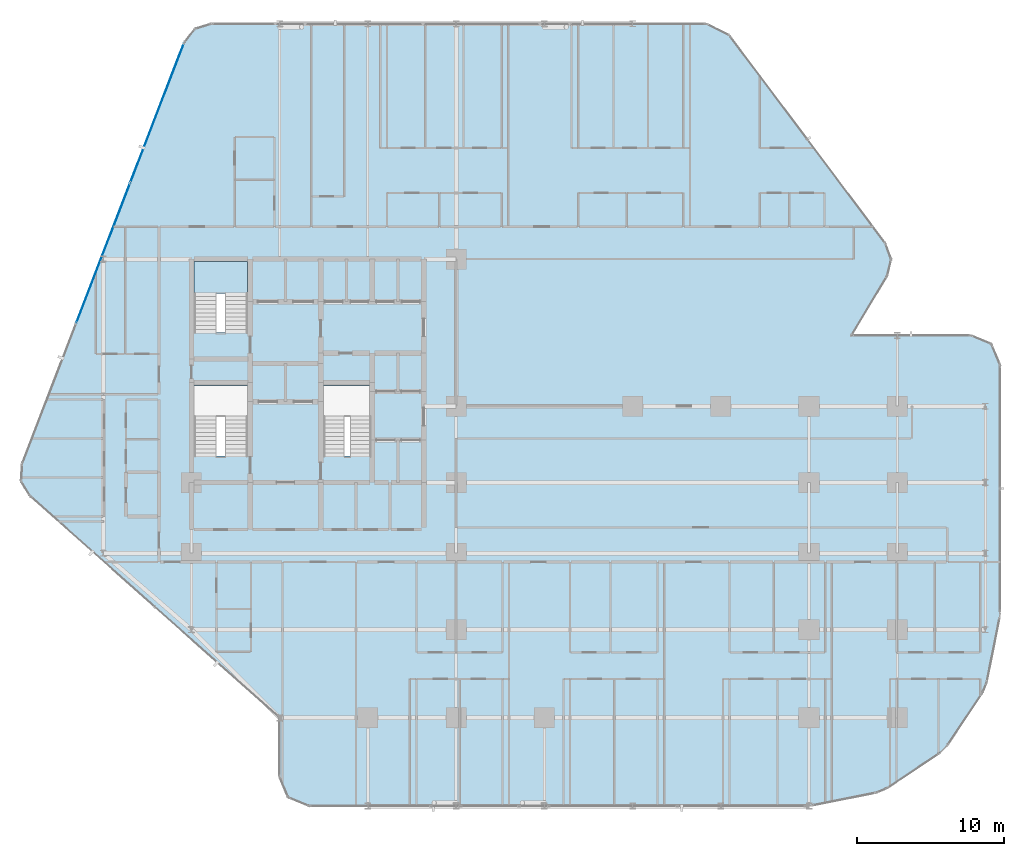
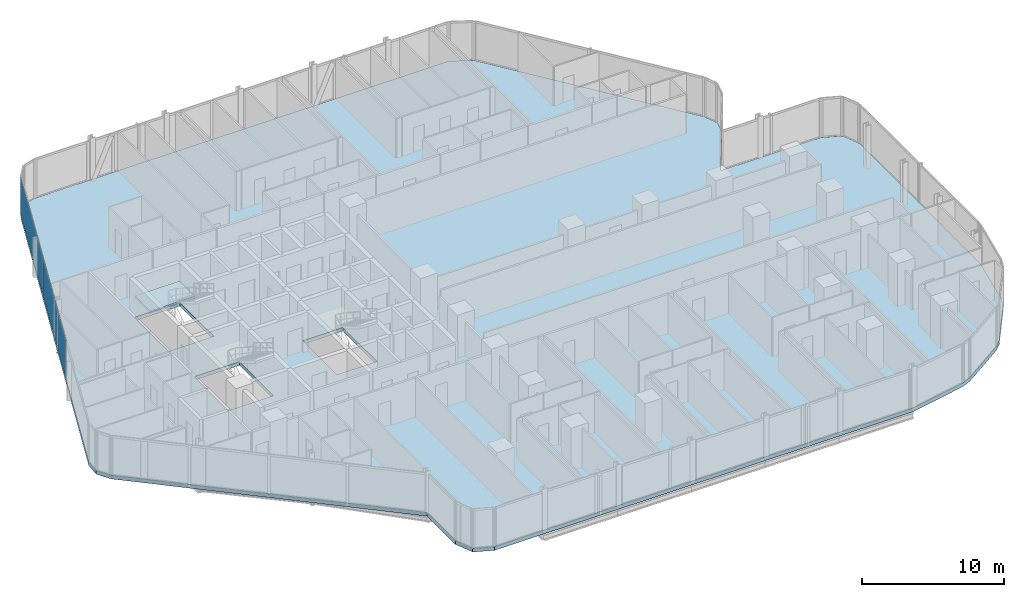
# One storey, part 23 of 34: 2 plates, 2 slabs, 2 elements without a shape of their own.
"""IFC4 building model written with IfcOpenShell, lengths in metres."""

import ifcopenshell
import ifcopenshell.guid

model = None  # the IFC model being written
_history = None  # IfcOwnerHistory: only IFC2X3 demands one
_inside = {}  # id of a spatial element -> (the spatial element, [elements in it])
_under = {}  # id of a project, library or spatial element -> (it, [spatial elements below it])
_declared = {}  # id of a project -> (the project, [libraries it declares])
_typed = {}  # id of a type object -> (the type object, [elements of that type])
_made_of = {}  # id of a material, layer set ... -> (it, [elements and type objects made of it])


def new_model(schema):
    """Start an empty IFC model of exactly this schema.

    Asked for "IFC4X3", IfcOpenShell would pick the latest addendum, in which some entities
    have other attributes; the version numbers below select the first issue.
    IFC2X3 requires an IfcOwnerHistory on every rooted entity: one is made here for all.
    """
    global model, _history
    if schema == "IFC4X3":
        model = ifcopenshell.file(schema_version=(4, 3, 0, 0))
    else:
        model = ifcopenshell.file(schema=schema)
    _inside.clear()
    _under.clear()
    _declared.clear()
    _typed.clear()
    _made_of.clear()
    _history = None
    if model.schema == "IFC2X3":
        org = make("IfcOrganization", Name="unknown")
        user = make(
            "IfcPersonAndOrganization",
            ThePerson=make("IfcPerson", FamilyName="unknown"),
            TheOrganization=org,
        )
        app = make(
            "IfcApplication",
            ApplicationDeveloper=org,
            Version="unknown",
            ApplicationFullName="unknown",
            ApplicationIdentifier="unknown",
        )
        _history = make(
            "IfcOwnerHistory",
            OwningUser=user,
            OwningApplication=app,
            ChangeAction="ADDED",
            CreationDate=0,
        )
    return model


def make(cls, **values):
    """One entity of the class cls with the attributes given. An attribute that is None is left unset."""
    return model.create_entity(
        cls, **{name: value for name, value in values.items() if value is not None}
    )


def rooted(cls, **values):
    """An entity with a GlobalId (a new one), such as an element, a storey or a relation."""
    return make(cls, GlobalId=ifcopenshell.guid.new(), OwnerHistory=_history, **values)


def si_unit(unit_type, name, prefix=None):
    """IfcSIUnit, for example si_unit("LENGTHUNIT", "METRE", prefix="MILLI")."""
    return make("IfcSIUnit", UnitType=unit_type, Prefix=prefix, Name=name)


def assignment(units):
    """IfcUnitAssignment: the units of a project."""
    return None if units is None else make("IfcUnitAssignment", Units=units)


def point(xyz):
    """IfcCartesianPoint."""
    return None if xyz is None else make("IfcCartesianPoint", Coordinates=xyz)


def direction(xyz):
    """IfcDirection."""
    return None if xyz is None else make("IfcDirection", DirectionRatios=xyz)


def frame(location, z_axis=None, x_axis=None):
    """IfcAxis2Placement3D, a coordinate frame: its origin and axes. An axis left out is left unset."""
    return make(
        "IfcAxis2Placement3D",
        Location=point(location),
        Axis=direction(z_axis),
        RefDirection=direction(x_axis),
    )


def frame_2d(location, x_axis=None):
    """IfcAxis2Placement2D, a coordinate frame in the plane: its origin and x axis."""
    return make(
        "IfcAxis2Placement2D", Location=point(location), RefDirection=direction(x_axis)
    )


def origin():
    """The frame at (0, 0, 0) with its axes left unset."""
    return frame((0.0, 0.0, 0.0))


def origin_2d():
    """The frame at (0, 0) in the plane with its x axis left unset."""
    return frame_2d((0.0, 0.0))


def place(relative_to, where):
    """IfcLocalPlacement: puts the frame where relative to a parent placement (None: the world)."""
    return make(
        "IfcLocalPlacement", PlacementRelTo=relative_to, RelativePlacement=where
    )


def context(
    kind, dimensions, precision=None, world=None, true_north=None, identifier=None
):
    """IfcGeometricRepresentationContext, for example the 3D "Model" context."""
    return make(
        "IfcGeometricRepresentationContext",
        ContextIdentifier=identifier,
        ContextType=kind,
        CoordinateSpaceDimension=dimensions,
        Precision=precision,
        WorldCoordinateSystem=world,
        TrueNorth=true_north,
    )


def subcontext(parent, identifier, kind, view, scale=None):
    """IfcGeometricRepresentationSubContext, for example "Body" below "Model"."""
    return make(
        "IfcGeometricRepresentationSubContext",
        ContextIdentifier=identifier,
        ContextType=kind,
        ParentContext=parent,
        TargetScale=scale,
        TargetView=view,
    )


def project(units=None, contexts=None):
    """IfcProject with its units and contexts."""
    return rooted(
        "IfcProject",
        Name="project",
        RepresentationContexts=contexts,
        UnitsInContext=assignment(units),
    )


def spatial(cls, under=None, at=None, **own):
    """A site, building, storey or space (cls), placed at a placement, below another one or the project."""
    s = rooted(cls, ObjectPlacement=at, **own)
    if under is not None:
        _under.setdefault(under.id(), (under, []))[1].append(s)
    return s


def polyline(points):
    """IfcPolyline through the points."""
    return make("IfcPolyline", Points=[point(p) for p in points])


def profile(cls, at=None, kind="AREA", **sizes):
    """A parametric profile (cls). Its sizes go by their IFC names, for example OverallWidth=200.0."""
    return make(cls, ProfileType=kind, Position=at, **sizes)


def rectangle(**sizes):
    """IfcRectangleProfileDef."""
    return profile("IfcRectangleProfileDef", **sizes)


def outline(outer, holes=None, kind="AREA"):
    """IfcArbitraryClosedProfileDef: a profile drawn as a closed curve; with holes, ...WithVoids."""
    if holes is None:
        return make("IfcArbitraryClosedProfileDef", ProfileType=kind, OuterCurve=outer)
    return make(
        "IfcArbitraryProfileDefWithVoids",
        ProfileType=kind,
        OuterCurve=outer,
        InnerCurves=holes,
    )


def extrude(swept, where, along, depth):
    """IfcExtrudedAreaSolid: the profile swept, set in the frame where, extruded along a direction by depth."""
    return make(
        "IfcExtrudedAreaSolid",
        SweptArea=swept,
        Position=where,
        ExtrudedDirection=direction(along),
        Depth=depth,
    )


def shape(context_of_items, identifier, shape_type, items):
    """IfcShapeRepresentation: the items that make up one representation, for example the "Body"."""
    return make(
        "IfcShapeRepresentation",
        ContextOfItems=context_of_items,
        RepresentationIdentifier=identifier,
        RepresentationType=shape_type,
        Items=items,
    )


def material(Name=None, Category=None):
    """IfcMaterial."""
    return make("IfcMaterial", Name=Name, Category=Category)


def layer(
    of_material, thickness, ventilated=None, Name=None, Category=None, Priority=None
):
    """IfcMaterialLayer: one layer of a wall or slab, of a material (None: an air gap)."""
    return make(
        "IfcMaterialLayer",
        Material=of_material,
        LayerThickness=thickness,
        IsVentilated=ventilated,
        Name=Name,
        Category=Category,
        Priority=Priority,
    )


def layer_set(layers, Name=None):
    """IfcMaterialLayerSet."""
    return make("IfcMaterialLayerSet", MaterialLayers=layers, LayerSetName=Name)


def made_of(thing, what):
    """Note that an element or type object is made of a material, layer set ...; save() writes the relation."""
    if what is not None:
        _made_of.setdefault(what.id(), (what, []))[1].append(thing)
    return thing


def type_object(cls, material=None, **own):
    """A type object (cls), such as IfcWallType, which elements share."""
    return made_of(rooted(cls, **own), material)


def element(
    cls,
    number,
    at=None,
    inside=None,
    cuts=None,
    type_object=None,
    material=None,
    context=None,
    identifier="Body",
    shape_type=None,
    held_by="IfcProductDefinitionShape",
    body=None,
    shapes=None,
    **own,
):
    """One element of the class cls, such as IfcWall. Its Tag is "e" and its number.

    at: its placement. inside: the storey or other place that contains it. cuts: it is an
    opening in that element (IfcRelVoidsElement). A single representation is given by context,
    identifier, shape_type and body (its items); several are given by shapes. held_by: the class
    of the entity that holds the representations. save() writes the other relations.
    """
    e = rooted(cls, Tag="e%d" % number, ObjectPlacement=at, **own)
    if body is not None:
        shapes = [shape(context, identifier, shape_type, body)]
    if shapes is not None:
        e.Representation = make(held_by, Representations=shapes)
    if inside is not None:
        _inside.setdefault(inside.id(), (inside, []))[1].append(e)
    if cuts is not None:
        rooted(
            "IfcRelVoidsElement", RelatingBuildingElement=cuts, RelatedOpeningElement=e
        )
    if type_object is not None:
        _typed.setdefault(type_object.id(), (type_object, []))[1].append(e)
    return made_of(e, material)


def aggregate(whole, parts):
    """IfcRelAggregates: a whole, such as a stair, and the parts it consists of."""
    return rooted("IfcRelAggregates", RelatingObject=whole, RelatedObjects=parts)


def save(model, path):
    """Write the relations noted so far, then the file.

    IfcRelAggregates (storeys below a building ...), IfcRelContainedInSpatialStructure (elements
    in a storey), IfcRelDefinesByType, IfcRelAssociatesMaterial and IfcRelDeclares: one each for
    every whole, place, type object, material and project.
    """
    for whole, parts in _under.values():
        aggregate(whole, parts)
    for where, things in _inside.values():
        rooted(
            "IfcRelContainedInSpatialStructure",
            RelatedElements=things,
            RelatingStructure=where,
        )
    for kind, things in _typed.values():
        rooted("IfcRelDefinesByType", RelatedObjects=things, RelatingType=kind)
    for what, things in _made_of.values():
        rooted("IfcRelAssociatesMaterial", RelatedObjects=things, RelatingMaterial=what)
    for by, libraries in _declared.values():
        rooted("IfcRelDeclares", RelatingContext=by, RelatedDefinitions=libraries)
    model.write(path)


model = new_model("IFC4")

# Units and contexts
model_context = context("Model", 3, precision=1e-05, world=origin(), true_north=direction((0.0, 1.0)))
body_context = subcontext(model_context, "Body", "Model", "MODEL_VIEW")
ifc_project = project(units=[si_unit("LENGTHUNIT", "METRE"), si_unit("AREAUNIT", "SQUARE_METRE"), si_unit("VOLUMEUNIT", "CUBIC_METRE"), si_unit("PLANEANGLEUNIT", "RADIAN"), si_unit("MASSUNIT", "GRAM", prefix="KILO")], contexts=[model_context])

# Site, building, storey
site_placement = place(None, origin())
site = spatial("IfcSite", under=ifc_project, at=site_placement, CompositionType="ELEMENT")
building_placement = place(site_placement, origin())
building = spatial("IfcBuilding", under=site, at=building_placement, Name="Keshet Zoharim Tower", CompositionType="ELEMENT")
storey_placement = place(building_placement, frame((0.0, 0.0, 38.800048828125)))
storey = spatial("IfcBuildingStorey", under=building, at=storey_placement, Name="L08", CompositionType="ELEMENT", Elevation=38.800048828125)

# Curtain wall, plates
ifc_material_1 = material(Name="Aluminium 6063-T6", Category="aluminium")
ifc_layer_1 = layer(ifc_material_1, 0.179931640625)
ifc_layer_set_1 = layer_set([ifc_layer_1], Name="Aluminium 6063-T6")
curtain_wall_type = type_object("IfcCurtainWallType", Name="CW-SYS-01", PredefinedType="NOTDEFINED", material=ifc_layer_set_1)
curtain_wall_placement = place(storey_placement, origin())
curtain_wall = element("IfcCurtainWall", 1, at=curtain_wall_placement, inside=storey, type_object=curtain_wall_type, Name="L08 Unitised Curtain Wall 04", PredefinedType="NOTDEFINED")
ifc_material_2 = material(Name="Insulated Low-E Clear Glass", Category="glass")
ifc_layer_2 = layer(ifc_material_2, 0.035888671875)
ifc_layer_set_2 = layer_set([ifc_layer_2], Name="Insulated Low-E Clear Glass")
plate_type = type_object("IfcPlateType", Name="CWP-01", PredefinedType="CURTAIN_PANEL", material=ifc_layer_set_2)
plate_1_placement = place(storey_placement, frame((9.001953125, 38.305419921875, 0.06982421875), z_axis=(0.0, 0.0, 1.0), x_axis=(0.358990003907, 0.933341404361, 0.0)))
plate_1 = element("IfcPlate", 2, at=plate_1_placement, type_object=plate_type, Name="CW-01 panel 2.1", PredefinedType="CURTAIN_PANEL", context=body_context, shape_type="SweptSolid", body=[
    extrude(rectangle(XDim=10.153076171875, YDim=0.035888671875, at=origin_2d()), origin(), (0.0, 0.0, 1.0), 3.2451171875),
])
plate_2_placement = place(storey_placement, frame((12.665771484375, 47.830810546875, 0.06982421875), z_axis=(0.0, 0.0, 1.0), x_axis=(0.358990003907, 0.933341404361, 0.0)))
plate_2 = element("IfcPlate", 3, at=plate_2_placement, type_object=plate_type, Name="CW-01 panel 3.1", PredefinedType="CURTAIN_PANEL", context=body_context, shape_type="SweptSolid", body=[
    extrude(rectangle(XDim=10.1181640625, YDim=0.035888671875, at=origin_2d()), origin(), (0.0, 0.0, 1.0), 3.2451171875),
])
aggregate(curtain_wall, [plate_1, plate_2])

# Stair, slab
ifc_material_3 = material(Name="Concrete C50/60", Category="concrete")
stair_type = type_object("IfcStairType", Name="STR-EXIT-135", PredefinedType="HALF_TURN_STAIR", material=ifc_material_3)
stair_placement = place(storey_placement, origin())
stair = element("IfcStair", 4, at=stair_placement, inside=storey, type_object=stair_type, Name="L08 Enclosed Exit Stair ST-02", PredefinedType="HALF_TURN_STAIR")
ifc_layer_3 = layer(ifc_material_3, 0.199951171875)
ifc_layer_set_3 = layer_set([ifc_layer_3], Name="Concrete C50/60")
slab_type_1 = type_object("IfcSlabType", Name="SLB-LND-200", PredefinedType="LANDING", material=ifc_layer_set_3)
slab_1_placement = place(storey_placement, frame((0.0, 0.0, 1.64990234375)))
slab_1 = element("IfcSlab", 5, at=slab_1_placement, type_object=slab_type_1, Name="ST-02 landing 1", PredefinedType="LANDING", context=body_context, shape_type="SweptSolid", body=[
    extrude(outline(polyline([(15.179931640625, 35.56005859375), (18.820068359375, 35.56005859375), (18.820068359375, 37.719970703125), (15.179931640625, 37.719970703125), (15.179931640625, 35.56005859375)])), origin(), (0.0, 0.0, 1.0), 0.199951171875),
])
aggregate(stair, [slab_1])

# Slab
ifc_layer_4 = layer(ifc_material_3, 0.31494140625)
ifc_layer_set_4 = layer_set([ifc_layer_4], Name="Concrete C50/60")
slab_type_2 = type_object("IfcSlabType", Name="SLB-LOW-260", PredefinedType="FLOOR", material=ifc_layer_set_4)
slab_2_placement = place(storey_placement, frame((0.0, 0.0, -0.31494140625)))
element("IfcSlab", 6, at=slab_2_placement, inside=storey, type_object=slab_type_2, Name="L08 Structural Floor Slab 1", PredefinedType="FLOOR", context=body_context, shape_type="SweptSolid", body=[
    extrude(outline(polyline([(21.0, 6.699951171875), (4.034912109375, 21.780029296875), (3.419921875, 22.802001953125), (3.4970703125, 23.992919921875), (14.507080078125, 52.617919921875), (15.240966796875, 53.549072265625), (16.3740234375, 53.89990234375), (50.0, 53.89990234375), (51.60009765625, 53.10009765625), (62.193115234375, 38.97607421875), (62.590087890625, 37.87890625), (62.30810546875, 36.7470703125), (59.8798828125, 32.699951171875), (68.0, 32.699951171875), (69.4140625, 32.114013671875), (70.0, 30.699951171875), (70.0, 13.89697265625), (69.9619140625, 13.507080078125), (69.087890625, 9.114990234375), (68.7890625, 8.39404296875), (66.4130859375, 4.837890625), (65.862060546875, 4.287109375), (62.305908203125, 1.910888671875), (61.5849609375, 1.612060546875), (57.193115234375, 0.738037109375), (56.802978515625, 0.699951171875), (23.0, 0.699951171875), (21.5859375, 1.285888671875), (21.0, 2.699951171875), (21.0, 6.699951171875)]), holes=[polyline([(15.179931640625, 24.52001953125), (18.820068359375, 24.52001953125), (18.820068359375, 29.320068359375), (15.179931640625, 29.320068359375), (15.179931640625, 24.52001953125)]), polyline([(15.179931640625, 32.919921875), (18.820068359375, 32.919921875), (18.820068359375, 37.719970703125), (15.179931640625, 37.719970703125), (15.179931640625, 32.919921875)]), polyline([(23.97998046875, 24.52001953125), (27.219970703125, 24.52001953125), (27.219970703125, 29.320068359375), (23.97998046875, 29.320068359375), (23.97998046875, 24.52001953125)])]), origin(), (0.0, 0.0, 1.0), 0.31494140625),
])

save(model, "model.ifc")
